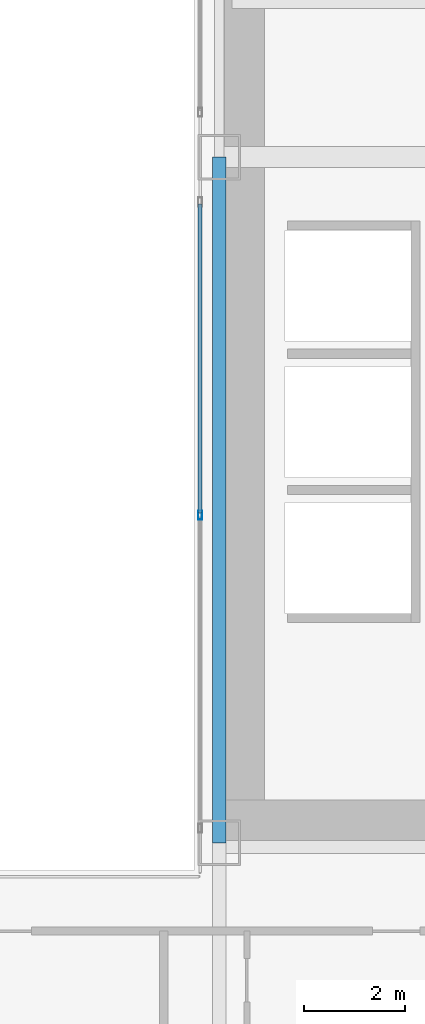
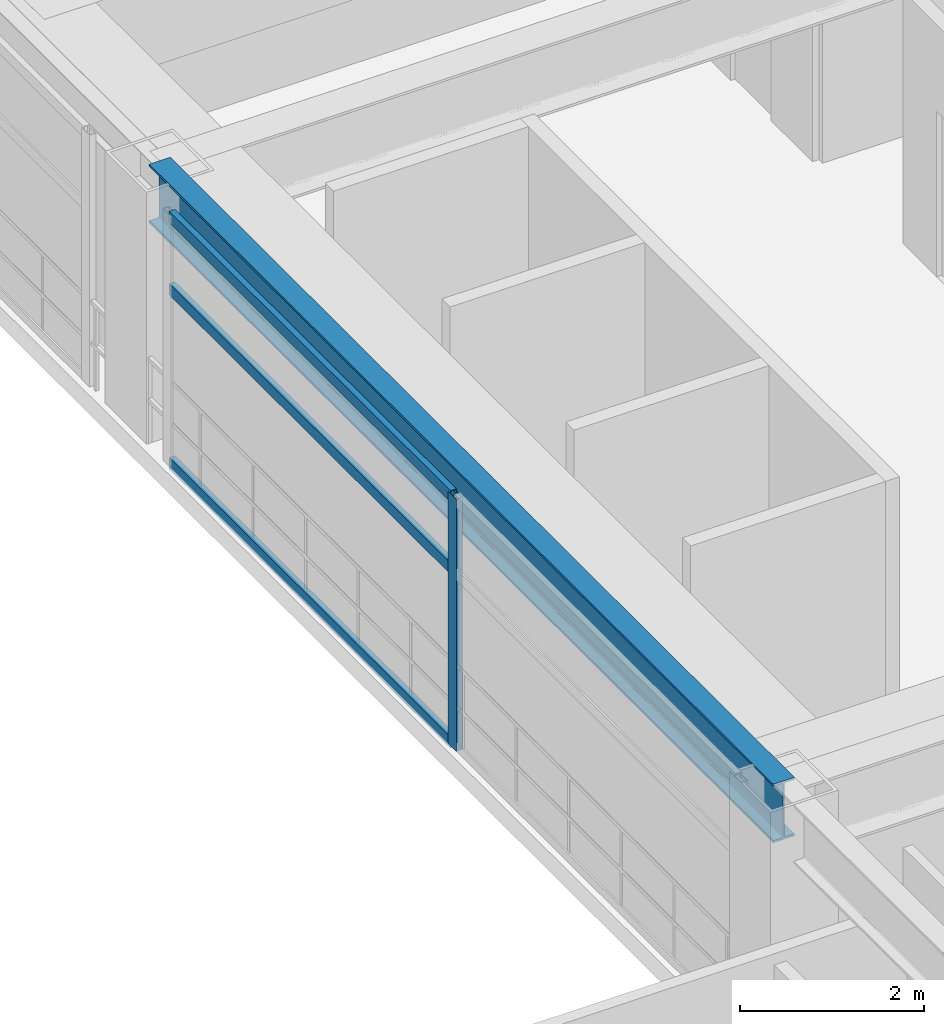
# One storey, part 15 of 41: 4 members, 1 beam, 1 element without a shape of its own.
"""IFC4 building model written with IfcOpenShell, lengths in metres."""

from ifc_helpers import new_model, si_unit, direction, frame, origin, origin_2d, place, context, subcontext, project, spatial, hollow_rectangle, i_section, extrude, source, transform, mapped, material, layer, layer_set, material_profile, profile_set, type_object, element, aggregate, save


model = new_model("IFC4")

# Units and contexts
model_context = context("Model", 3, precision=1e-05, world=origin(), true_north=direction((0.0, 1.0)))
body_context = subcontext(model_context, "Body", "Model", "MODEL_VIEW")
ifc_project = project(units=[si_unit("LENGTHUNIT", "METRE"), si_unit("AREAUNIT", "SQUARE_METRE"), si_unit("VOLUMEUNIT", "CUBIC_METRE"), si_unit("PLANEANGLEUNIT", "RADIAN"), si_unit("MASSUNIT", "GRAM", prefix="KILO")], contexts=[model_context])

# Site, building, storey
site_placement = place(None, origin())
site = spatial("IfcSite", under=ifc_project, at=site_placement, CompositionType="ELEMENT")
building_placement = place(site_placement, origin())
building = spatial("IfcBuilding", under=site, at=building_placement, Name="Ocotamira Hotel", CompositionType="ELEMENT")
storey_placement = place(building_placement, frame((0.0, 0.0, 52.800048828125)))
storey = spatial("IfcBuildingStorey", under=building, at=storey_placement, Name="L12", CompositionType="ELEMENT", Elevation=52.800048828125)

# Beam
ifc_material_1 = material(Name="Steel ASTM A992 Grade 50", Category="steel")
ifc_material_profile_1 = material_profile(ifc_material_1, i_section(OverallWidth=0.26611328125, OverallDepth=0.779052734375, WebThickness=0.0166015625, FlangeThickness=0.030029296875, FilletRadius=0.01806640625, at=origin_2d()), Name="W30X148")
ifc_profile_set_1 = profile_set([ifc_material_profile_1], Name="Steel ASTM A992 Grade 50")
beam_type = type_object("IfcBeamType", Name="BM-GIRD-W30X148", PredefinedType="BEAM", material=ifc_profile_set_1)
shared_shape_1 = source(origin(), body_context, "Body", "SweptSolid", [
    extrude(i_section(OverallWidth=0.26611328125, OverallDepth=0.779052734375, WebThickness=0.0166015625, FlangeThickness=0.030029296875, FilletRadius=0.01806640625, at=origin_2d()), origin(), (0.0, 0.0, 1.0), 13.599853515625),
])
beam_placement = place(storey_placement, frame((40.5, 14.550048828125, 2.96044921875), z_axis=(0.0, 1.0, 0.0), x_axis=(-1.0, 0.0, 0.0)))
element("IfcBeam", 1, at=beam_placement, inside=storey, type_object=beam_type, Name="L12 Beam X40.5 Y14.55-28.15", PredefinedType="BEAM", context=body_context, shape_type="MappedRepresentation", body=[
    mapped(shared_shape_1, transform((0.0, 0.0, 0.0), scale=1.0)),
])

# Curtain wall, members
ifc_material_2 = material(Name="Anodised pale-metal aluminium and solar glass", Category="aluminium")
ifc_layer = layer(ifc_material_2, 0.159912109375)
ifc_layer_set = layer_set([ifc_layer], Name="Anodised pale-metal aluminium and solar glass")
curtain_wall_type = type_object("IfcCurtainWallType", Name="CW-SYS6-ATR", PredefinedType="NOTDEFINED", material=ifc_layer_set)
curtain_wall_placement = place(storey_placement, origin())
curtain_wall = element("IfcCurtainWall", 2, at=curtain_wall_placement, inside=storey, type_object=curtain_wall_type, Name="L12 Curtain Wall CW-6 CW-L12-ATRE1", PredefinedType="NOTDEFINED")
ifc_material_3 = material(Name="Anodised pale-metal aluminium 6063-T6", Category="aluminium")
ifc_material_profile_2 = material_profile(ifc_material_3, hollow_rectangle(XDim=0.080078125, YDim=0.179931640625, WallThickness=0.006103515625, at=origin_2d()), Name="HSS180X80X6")
ifc_profile_set_2 = profile_set([ifc_material_profile_2], Name="Anodised pale-metal aluminium 6063-T6")
member_type_1 = type_object("IfcMemberType", Name="CWM-180X75", PredefinedType="MULLION", material=ifc_profile_set_2)
shared_shape_2 = source(origin(), body_context, "Body", "SweptSolid", [
    extrude(hollow_rectangle(XDim=0.080078125, YDim=0.179931640625, WallThickness=0.006103515625, at=origin_2d()), origin(), (0.0, 0.0, 1.0), 3.349853515625),
])
member_1_placement = place(storey_placement, frame((40.1201171875, 21.050048828125, 0.0), z_axis=(0.0, 0.0, 1.0), x_axis=(-1.0, 0.0, 0.0)))
member_1 = element("IfcMember", 3, at=member_1_placement, type_object=member_type_1, Name="CW-6 mullion 2", PredefinedType="MULLION", context=body_context, shape_type="MappedRepresentation", body=[
    mapped(shared_shape_2, transform((0.0, 0.0, 0.0), scale=1.0)),
])
ifc_material_profile_3 = material_profile(ifc_material_3, hollow_rectangle(XDim=0.074951171875, YDim=0.14990234375, WallThickness=0.006103515625, at=origin_2d()), Name="HSS150X75X6")
ifc_profile_set_3 = profile_set([ifc_material_profile_3], Name="Anodised pale-metal aluminium 6063-T6")
member_type_2 = type_object("IfcMemberType", Name="CWT-150X75", PredefinedType="USERDEFINED", material=ifc_profile_set_3)
shared_shape_3 = source(origin(), body_context, "Body", "SweptSolid", [
    extrude(hollow_rectangle(XDim=0.074951171875, YDim=0.14990234375, WallThickness=0.006103515625, at=origin_2d()), origin(), (0.0, 0.0, 1.0), 6.1298828125),
])
member_2_placement = place(storey_placement, frame((40.1201171875, 21.090087890625, 0.037353515625), z_axis=(0.0, 1.0, 0.0), x_axis=(-1.0, 0.0, 0.0)))
member_2 = element("IfcMember", 4, at=member_2_placement, type_object=member_type_2, Name="CW-6 transom 2.1", ObjectType="TRANSOM", PredefinedType="USERDEFINED", context=body_context, shape_type="MappedRepresentation", body=[
    mapped(shared_shape_3, transform((0.0, 0.0, 0.0), scale=1.0)),
])
member_3_placement = place(storey_placement, frame((40.1201171875, 21.090087890625, 2.349853515625), z_axis=(0.0, 1.0, 0.0), x_axis=(-1.0, 0.0, 0.0)))
member_3 = element("IfcMember", 5, at=member_3_placement, type_object=member_type_2, Name="CW-6 transom 2.2", ObjectType="TRANSOM", PredefinedType="USERDEFINED", context=body_context, shape_type="MappedRepresentation", body=[
    mapped(shared_shape_3, transform((0.0, 0.0, 0.0), scale=1.0)),
])
member_4_placement = place(storey_placement, frame((40.1201171875, 21.090087890625, 3.3125), z_axis=(0.0, 1.0, 0.0), x_axis=(-1.0, 0.0, 0.0)))
member_4 = element("IfcMember", 6, at=member_4_placement, type_object=member_type_2, Name="CW-6 transom 2.3", ObjectType="TRANSOM", PredefinedType="USERDEFINED", context=body_context, shape_type="MappedRepresentation", body=[
    mapped(shared_shape_3, transform((0.0, 0.0, 0.0), scale=1.0)),
])
aggregate(curtain_wall, [member_1, member_2, member_3, member_4])

save(model, "model.ifc")
